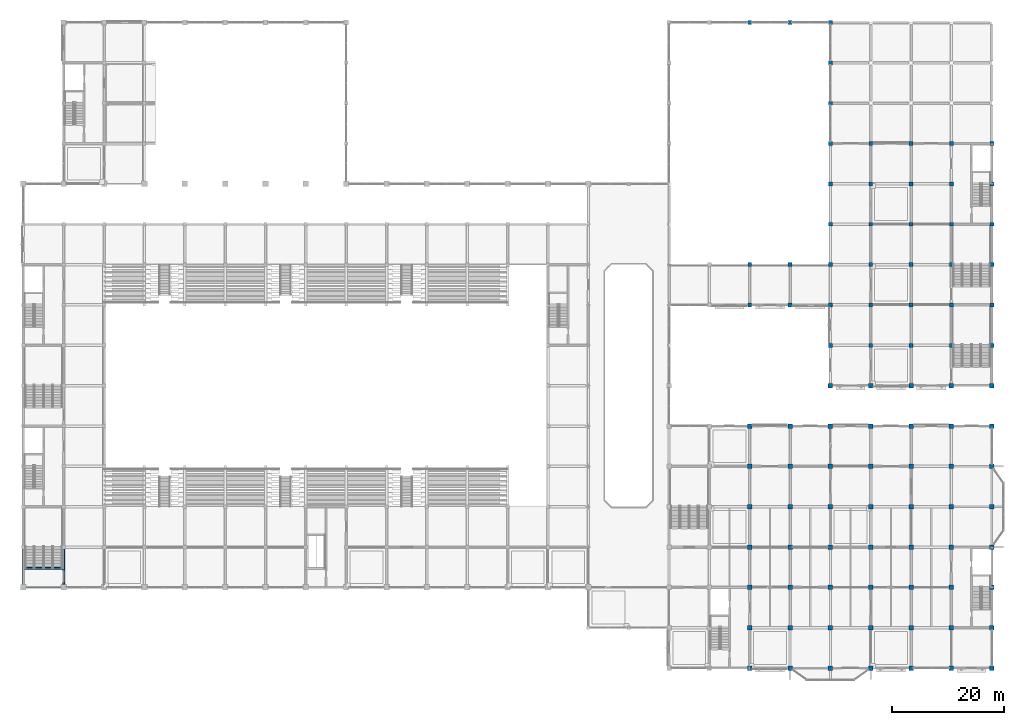
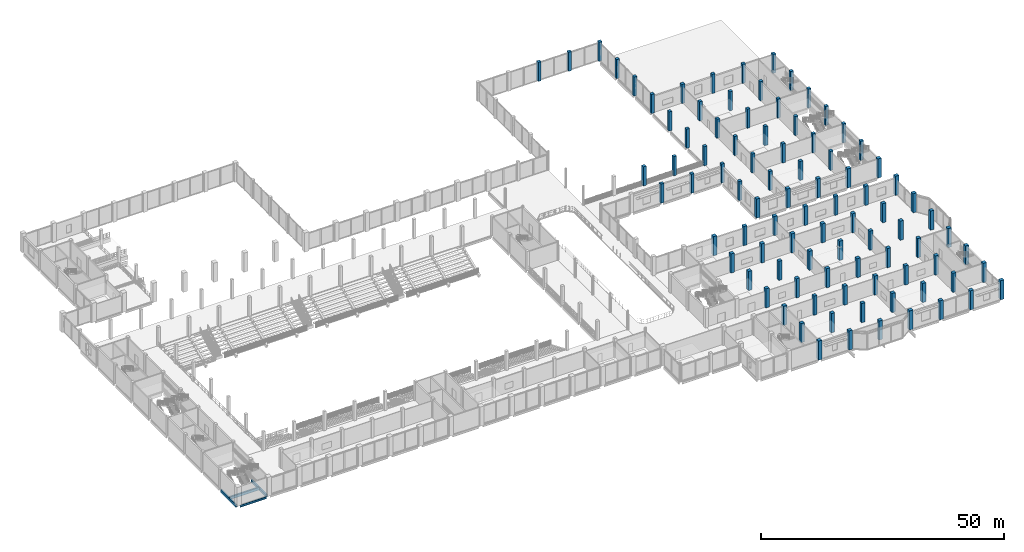
# One storey, part 5 of 99: 93 columns, 4 beams.
"""IFC4 building model written with IfcOpenShell, lengths in metres."""

from ifc_helpers import new_model, si_unit, direction, frame, origin, origin_2d, place, context, subcontext, project, spatial, rectangle, i_section, extrude, material, material_profile, profile_set, type_object, element, save


model = new_model("IFC4")

# Units and contexts
model_context = context("Model", 3, precision=1e-05, world=origin(), true_north=direction((0.0, 1.0)))
body_context = subcontext(model_context, "Body", "Model", "MODEL_VIEW")
ifc_project = project(units=[si_unit("LENGTHUNIT", "METRE"), si_unit("AREAUNIT", "SQUARE_METRE"), si_unit("VOLUMEUNIT", "CUBIC_METRE"), si_unit("PLANEANGLEUNIT", "RADIAN"), si_unit("MASSUNIT", "GRAM", prefix="KILO")], contexts=[model_context])

# Site, building, storey
site_placement = place(None, origin())
site = spatial("IfcSite", under=ifc_project, at=site_placement, CompositionType="ELEMENT")
building_placement = place(site_placement, origin())
building = spatial("IfcBuilding", under=site, at=building_placement, Name="Vesperath Aquatics Centre", CompositionType="ELEMENT")
storey_placement = place(building_placement, frame((0.0, 0.0, 5.39990234375)))
storey = spatial("IfcBuildingStorey", under=building, at=storey_placement, Name="L01", CompositionType="ELEMENT", Elevation=5.39990234375)

# Columns
ifc_material_1 = material(Name="Concrete C40", Category="concrete")
ifc_material_profile_1 = material_profile(ifc_material_1, rectangle(XDim=0.800048828125, YDim=0.800048828125, at=origin_2d()), Name="RC 800x800")
ifc_profile_set_1 = profile_set([ifc_material_profile_1], Name="Concrete C40")
column_type_1 = type_object("IfcColumnType", Name="CL-C04", PredefinedType="COLUMN", material=ifc_profile_set_1)
for number, where, z_axis, x_axis, name in (
    (1, (129.60009765625, 0.0, 0.0), (0.0, 0.0, 1.0), (1.0, 0.0, 0.0), "Column C04 L01 19/A"),
    (2, (129.60009765625, 7.199951171875, 0.0), (0.0, 0.0, 1.0), (1.0, 0.0, 0.0), "Column C04 L01 19/B"),
    (3, (129.60009765625, 14.39990234375, 0.0), (0.0, 0.0, 1.0), (1.0, 0.0, 0.0), "Column C04 L01 19/C"),
    (4, (129.60009765625, 21.60009765625, 0.0), (0.0, 0.0, 1.0), (1.0, 0.0, 0.0), "Column C04 L01 19/D"),
    (5, (129.60009765625, 28.800048828125, 0.0), (0.0, 0.0, 1.0), (1.0, 0.0, 0.0), "Column C04 L01 19/E"),
    (6, (129.60009765625, 36.0, 0.0), (0.0, 0.0, 1.0), (1.0, 0.0, 0.0), "Column C04 L01 19/F"),
    (7, (129.60009765625, 43.199951171875, 0.0), (0.0, 0.0, 1.0), (1.0, 0.0, 0.0), "Column C04 L01 19/G"),
    (8, (136.800048828125, 0.0, 0.0), (0.0, 0.0, 1.0), (1.0, 0.0, 0.0), "Column C04 L01 20/A"),
    (9, (136.800048828125, 7.199951171875, 0.0), (0.0, 0.0, 1.0), (1.0, 0.0, 0.0), "Column C04 L01 20/B"),
    (10, (136.800048828125, 14.39990234375, 0.0), (0.0, 0.0, 1.0), (1.0, 0.0, 0.0), "Column C04 L01 20/C"),
    (11, (136.800048828125, 21.60009765625, 0.0), (0.0, 0.0, 1.0), (1.0, 0.0, 0.0), "Column C04 L01 20/D"),
    (12, (136.800048828125, 28.800048828125, 0.0), (0.0, 0.0, 1.0), (1.0, 0.0, 0.0), "Column C04 L01 20/E"),
    (13, (136.800048828125, 36.0, 0.0), (0.0, 0.0, 1.0), (1.0, 0.0, 0.0), "Column C04 L01 20/F"),
    (14, (136.800048828125, 43.199951171875, 0.0), (0.0, 0.0, 1.0), (1.0, 0.0, 0.0), "Column C04 L01 20/G"),
    (15, (144.0, 0.0, 0.0), (0.0, 0.0, 1.0), (1.0, 0.0, 0.0), "Column C04 L01 21/A"),
    (16, (144.0, 7.199951171875, 0.0), (0.0, 0.0, 1.0), (1.0, 0.0, 0.0), "Column C04 L01 21/B"),
    (17, (144.0, 14.39990234375, 0.0), (0.0, 0.0, 1.0), (1.0, 0.0, 0.0), "Column C04 L01 21/C"),
    (18, (144.0, 21.60009765625, 0.0), (0.0, 0.0, 1.0), (1.0, 0.0, 0.0), "Column C04 L01 21/D"),
    (19, (144.0, 28.800048828125, 0.0), (0.0, 0.0, 1.0), (1.0, 0.0, 0.0), "Column C04 L01 21/E"),
    (20, (144.0, 36.0, 0.0), (0.0, 0.0, 1.0), (1.0, 0.0, 0.0), "Column C04 L01 21/F"),
    (21, (144.0, 43.199951171875, 0.0), (0.0, 0.0, 1.0), (1.0, 0.0, 0.0), "Column C04 L01 21/G"),
    (22, (144.0, 50.39990234375, 0.0), (0.0, 0.0, 1.0), (1.0, 0.0, 0.0), "Column C04 L01 21/H"),
    (23, (151.199951171875, 0.0, 0.0), (0.0, 0.0, 1.0), (1.0, 0.0, 0.0), "Column C04 L01 22/A"),
    (24, (151.199951171875, 7.199951171875, 0.0), (0.0, 0.0, 1.0), (1.0, 0.0, 0.0), "Column C04 L01 22/B"),
    (25, (151.199951171875, 14.39990234375, 0.0), (0.0, 0.0, 1.0), (1.0, 0.0, 0.0), "Column C04 L01 22/C"),
    (26, (151.199951171875, 21.60009765625, 0.0), (0.0, 0.0, 1.0), (1.0, 0.0, 0.0), "Column C04 L01 22/D"),
    (27, (151.199951171875, 28.800048828125, 0.0), (0.0, 0.0, 1.0), (1.0, 0.0, 0.0), "Column C04 L01 22/E"),
    (28, (151.199951171875, 36.0, 0.0), (0.0, 0.0, 1.0), (1.0, 0.0, 0.0), "Column C04 L01 22/F"),
    (29, (151.199951171875, 43.199951171875, 0.0), (0.0, 0.0, 1.0), (1.0, 0.0, 0.0), "Column C04 L01 22/G"),
    (30, (151.199951171875, 50.39990234375, 0.0), (0.0, 0.0, 1.0), (1.0, 0.0, 0.0), "Column C04 L01 22/H"),
    (31, (158.39990234375, 0.0, 0.0), (0.0, 0.0, 1.0), (1.0, 0.0, 0.0), "Column C04 L01 23/A"),
    (32, (158.39990234375, 7.199951171875, 0.0), (0.0, 0.0, 1.0), (1.0, 0.0, 0.0), "Column C04 L01 23/B"),
    (33, (158.39990234375, 14.39990234375, 0.0), (0.0, 0.0, 1.0), (1.0, 0.0, 0.0), "Column C04 L01 23/C"),
    (34, (158.39990234375, 21.60009765625, 0.0), (0.0, 0.0, 1.0), (1.0, 0.0, 0.0), "Column C04 L01 23/D"),
    (35, (158.39990234375, 28.800048828125, 0.0), (0.0, 0.0, 1.0), (1.0, 0.0, 0.0), "Column C04 L01 23/E"),
    (36, (158.39990234375, 36.0, 0.0), (0.0, 0.0, 1.0), (1.0, 0.0, 0.0), "Column C04 L01 23/F"),
    (37, (158.39990234375, 43.199951171875, 0.0), (0.0, 0.0, 1.0), (1.0, 0.0, 0.0), "Column C04 L01 23/G"),
    (38, (158.39990234375, 50.39990234375, 0.0), (0.0, 0.0, 1.0), (1.0, 0.0, 0.0), "Column C04 L01 23/H"),
    (39, (165.60009765625, 0.0, 0.0), (0.0, 0.0, 1.0), (1.0, 0.0, 0.0), "Column C04 L01 24/A"),
    (40, (165.60009765625, 7.199951171875, 0.0), (0.0, 0.0, 1.0), (1.0, 0.0, 0.0), "Column C04 L01 24/B"),
    (41, (165.60009765625, 14.39990234375, 0.0), (0.0, 0.0, 1.0), (1.0, 0.0, 0.0), "Column C04 L01 24/C"),
    (42, (165.60009765625, 21.60009765625, 0.0), (0.0, 0.0, 1.0), (1.0, 0.0, 0.0), "Column C04 L01 24/D"),
    (43, (165.60009765625, 28.800048828125, 0.0), (0.0, 0.0, 1.0), (1.0, 0.0, 0.0), "Column C04 L01 24/E"),
    (44, (165.60009765625, 36.0, 0.0), (0.0, 0.0, 1.0), (1.0, 0.0, 0.0), "Column C04 L01 24/F"),
    (45, (165.60009765625, 43.199951171875, 0.0), (0.0, 0.0, 1.0), (1.0, 0.0, 0.0), "Column C04 L01 24/G"),
    (46, (165.60009765625, 50.39990234375, 0.0), (0.0, 0.0, 1.0), (1.0, 0.0, 0.0), "Column C04 L01 24/H"),
    (47, (172.800048828125, 0.0, 0.0), (0.0, 0.0, 1.0), (1.0, 0.0, 0.0), "Column C04 L01 25/A"),
    (48, (172.800048828125, 7.199951171875, 0.0), (0.0, 0.0, 1.0), (1.0, 0.0, 0.0), "Column C04 L01 25/B"),
    (49, (172.800048828125, 14.39990234375, 0.0), (0.0, 0.0, 1.0), (1.0, 0.0, 0.0), "Column C04 L01 25/C"),
    (50, (172.800048828125, 21.60009765625, 0.0), (0.0, 0.0, 1.0), (1.0, 0.0, 0.0), "Column C04 L01 25/D"),
    (51, (172.800048828125, 28.800048828125, 0.0), (0.0, 0.0, 1.0), (1.0, 0.0, 0.0), "Column C04 L01 25/E"),
    (52, (172.800048828125, 36.0, 0.0), (0.0, 0.0, 1.0), (1.0, 0.0, 0.0), "Column C04 L01 25/F"),
    (53, (172.800048828125, 43.199951171875, 0.0), (0.0, 0.0, 1.0), (1.0, 0.0, 0.0), "Column C04 L01 25/G"),
    (54, (172.800048828125, 50.39990234375, 0.0), (0.0, 0.0, 1.0), (1.0, 0.0, 0.0), "Column C04 L01 25/H"),
):
    element("IfcColumn", number, at=place(storey_placement, frame(where, z_axis=z_axis, x_axis=x_axis)), inside=storey, type_object=column_type_1, Name=name, PredefinedType="COLUMN", context=body_context, shape_type="SweptSolid", body=[
        extrude(rectangle(XDim=0.800048828125, YDim=0.800048828125, at=origin_2d()), origin(), (0.0, 0.0, 1.0), 4.800048828125),
    ])
ifc_material_profile_2 = material_profile(ifc_material_1, rectangle(XDim=0.699951171875, YDim=0.699951171875, at=origin_2d()), Name="RC 700x700")
ifc_profile_set_2 = profile_set([ifc_material_profile_2], Name="Concrete C40")
column_type_2 = type_object("IfcColumnType", Name="CL-C05", PredefinedType="COLUMN", material=ifc_profile_set_2)
for number, where, z_axis, x_axis, name in (
    (55, (129.60009765625, 64.800048828125, 0.0), (0.0, 0.0, 1.0), (1.0, 0.0, 0.0), "Column C05 L01 19/K"),
    (56, (129.60009765625, 72.0, 0.0), (0.0, 0.0, 1.0), (1.0, 0.0, 0.0), "Column C05 L01 19/L"),
    (57, (129.60009765625, 115.199951171875, 0.0), (0.0, 0.0, 1.0), (1.0, 0.0, 0.0), "Column C05 L01 19/S"),
    (58, (136.800048828125, 64.800048828125, 0.0), (0.0, 0.0, 1.0), (1.0, 0.0, 0.0), "Column C05 L01 20/K"),
    (59, (136.800048828125, 72.0, 0.0), (0.0, 0.0, 1.0), (1.0, 0.0, 0.0), "Column C05 L01 20/L"),
    (60, (136.800048828125, 115.199951171875, 0.0), (0.0, 0.0, 1.0), (1.0, 0.0, 0.0), "Column C05 L01 20/S"),
    (61, (144.0, 57.60009765625, 0.0), (0.0, 0.0, 1.0), (1.0, 0.0, 0.0), "Column C05 L01 21/J"),
    (62, (144.0, 64.800048828125, 0.0), (0.0, 0.0, 1.0), (1.0, 0.0, 0.0), "Column C05 L01 21/K"),
    (63, (144.0, 72.0, 0.0), (0.0, 0.0, 1.0), (1.0, 0.0, 0.0), "Column C05 L01 21/L"),
    (64, (144.0, 79.199951171875, 0.0), (0.0, 0.0, 1.0), (1.0, 0.0, 0.0), "Column C05 L01 21/M"),
    (65, (144.0, 86.39990234375, 0.0), (0.0, 0.0, 1.0), (1.0, 0.0, 0.0), "Column C05 L01 21/N"),
    (66, (144.0, 93.60009765625, 0.0), (0.0, 0.0, 1.0), (1.0, 0.0, 0.0), "Column C05 L01 21/P"),
    (67, (144.0, 100.800048828125, 0.0), (0.0, 0.0, 1.0), (1.0, 0.0, 0.0), "Column C05 L01 21/Q"),
    (68, (144.0, 108.0, 0.0), (0.0, 0.0, 1.0), (1.0, 0.0, 0.0), "Column C05 L01 21/R"),
    (69, (144.0, 115.199951171875, 0.0), (0.0, 0.0, 1.0), (1.0, 0.0, 0.0), "Column C05 L01 21/S"),
    (70, (151.199951171875, 57.60009765625, 0.0), (0.0, 0.0, 1.0), (1.0, 0.0, 0.0), "Column C05 L01 22/J"),
    (71, (151.199951171875, 64.800048828125, 0.0), (0.0, 0.0, 1.0), (1.0, 0.0, 0.0), "Column C05 L01 22/K"),
    (72, (151.199951171875, 72.0, 0.0), (0.0, 0.0, 1.0), (1.0, 0.0, 0.0), "Column C05 L01 22/L"),
    (73, (151.199951171875, 79.199951171875, 0.0), (0.0, 0.0, 1.0), (1.0, 0.0, 0.0), "Column C05 L01 22/M"),
    (74, (151.199951171875, 86.39990234375, 0.0), (0.0, 0.0, 1.0), (1.0, 0.0, 0.0), "Column C05 L01 22/N"),
    (75, (151.199951171875, 93.60009765625, 0.0), (0.0, 0.0, 1.0), (1.0, 0.0, 0.0), "Column C05 L01 22/P"),
    (76, (158.39990234375, 57.60009765625, 0.0), (0.0, 0.0, 1.0), (1.0, 0.0, 0.0), "Column C05 L01 23/J"),
    (77, (158.39990234375, 64.800048828125, 0.0), (0.0, 0.0, 1.0), (1.0, 0.0, 0.0), "Column C05 L01 23/K"),
    (78, (158.39990234375, 72.0, 0.0), (0.0, 0.0, 1.0), (1.0, 0.0, 0.0), "Column C05 L01 23/L"),
    (79, (158.39990234375, 79.199951171875, 0.0), (0.0, 0.0, 1.0), (1.0, 0.0, 0.0), "Column C05 L01 23/M"),
    (80, (158.39990234375, 86.39990234375, 0.0), (0.0, 0.0, 1.0), (1.0, 0.0, 0.0), "Column C05 L01 23/N"),
    (81, (158.39990234375, 93.60009765625, 0.0), (0.0, 0.0, 1.0), (1.0, 0.0, 0.0), "Column C05 L01 23/P"),
    (82, (165.60009765625, 57.60009765625, 0.0), (0.0, 0.0, 1.0), (1.0, 0.0, 0.0), "Column C05 L01 24/J"),
    (83, (165.60009765625, 64.800048828125, 0.0), (0.0, 0.0, 1.0), (1.0, 0.0, 0.0), "Column C05 L01 24/K"),
    (84, (165.60009765625, 72.0, 0.0), (0.0, 0.0, 1.0), (1.0, 0.0, 0.0), "Column C05 L01 24/L"),
    (85, (165.60009765625, 79.199951171875, 0.0), (0.0, 0.0, 1.0), (1.0, 0.0, 0.0), "Column C05 L01 24/M"),
    (86, (165.60009765625, 86.39990234375, 0.0), (0.0, 0.0, 1.0), (1.0, 0.0, 0.0), "Column C05 L01 24/N"),
    (87, (165.60009765625, 93.60009765625, 0.0), (0.0, 0.0, 1.0), (1.0, 0.0, 0.0), "Column C05 L01 24/P"),
    (88, (172.800048828125, 57.60009765625, 0.0), (0.0, 0.0, 1.0), (1.0, 0.0, 0.0), "Column C05 L01 25/J"),
    (89, (172.800048828125, 64.800048828125, 0.0), (0.0, 0.0, 1.0), (1.0, 0.0, 0.0), "Column C05 L01 25/K"),
    (90, (172.800048828125, 72.0, 0.0), (0.0, 0.0, 1.0), (1.0, 0.0, 0.0), "Column C05 L01 25/L"),
    (91, (172.800048828125, 79.199951171875, 0.0), (0.0, 0.0, 1.0), (1.0, 0.0, 0.0), "Column C05 L01 25/M"),
    (92, (172.800048828125, 86.39990234375, 0.0), (0.0, 0.0, 1.0), (1.0, 0.0, 0.0), "Column C05 L01 25/N"),
    (93, (172.800048828125, 93.60009765625, 0.0), (0.0, 0.0, 1.0), (1.0, 0.0, 0.0), "Column C05 L01 25/P"),
):
    element("IfcColumn", number, at=place(storey_placement, frame(where, z_axis=z_axis, x_axis=x_axis)), inside=storey, type_object=column_type_2, Name=name, PredefinedType="COLUMN", context=body_context, shape_type="SweptSolid", body=[
        extrude(rectangle(XDim=0.699951171875, YDim=0.699951171875, at=origin_2d()), origin(), (0.0, 0.0, 1.0), 4.800048828125),
    ])

# Beams
ifc_material_2 = material(Name="Concrete C35", Category="concrete")
ifc_material_profile_3 = material_profile(ifc_material_2, rectangle(XDim=0.35009765625, YDim=0.64990234375, at=origin_2d()), Name="RC 350x650")
ifc_profile_set_3 = profile_set([ifc_material_profile_3], Name="Concrete C35")
beam_type_1 = type_object("IfcBeamType", Name="BM-G05", PredefinedType="BEAM", material=ifc_profile_set_3)
for number, where, z_axis, x_axis, name in (
    (94, (0.0, 14.949951171875, -0.5849609375), (0.0, 1.0, 0.0), (-1.0, 0.0, 0.0), "Floor Girder B05 L01 1 C-D"),
    (95, (7.199951171875, 14.949951171875, -0.5849609375), (0.0, 1.0, 0.0), (-1.0, 0.0, 0.0), "Floor Girder B05 L01 2 C-D"),
):
    element("IfcBeam", number, at=place(storey_placement, frame(where, z_axis=z_axis, x_axis=x_axis)), inside=storey, type_object=beam_type_1, Name=name, PredefinedType="BEAM", context=body_context, shape_type="SweptSolid", body=[
        extrude(rectangle(XDim=0.35009765625, YDim=0.64990234375, at=origin_2d()), origin(), (0.0, 0.0, 1.0), 6.300048828125),
    ])
beam_1_placement = place(storey_placement, frame((0.0, 17.820068359375, -0.324951171875), z_axis=(1.0, 0.0, 0.0), x_axis=(0.0, 1.0, 0.0)))
element("IfcBeam", 96, at=beam_1_placement, inside=storey, type_object=beam_type_1, Name="Stair ST10 Landing Trimmer Beam B05 L01", PredefinedType="BEAM", context=body_context, shape_type="SweptSolid", body=[
    extrude(rectangle(XDim=0.35009765625, YDim=0.64990234375, at=origin_2d()), origin(), (0.0, 0.0, 1.0), 7.199951171875),
])
ifc_material_3 = material(Name="Steel Q355D", Category="steel")
ifc_material_profile_4 = material_profile(ifc_material_3, i_section(OverallWidth=0.199951171875, OverallDepth=0.5, WebThickness=0.010009765625, FlangeThickness=0.01611328125, FilletRadius=0.02001953125, at=origin_2d()), Name="HN 500x200x10x16")
ifc_profile_set_4 = profile_set([ifc_material_profile_4], Name="Steel Q355D")
beam_type_2 = type_object("IfcBeamType", Name="BM-SP01", PredefinedType="SPANDREL", material=ifc_profile_set_4)
beam_2_placement = place(storey_placement, frame((0.449951171875, 14.39990234375, -0.510009765625), z_axis=(1.0, 0.0, 0.0), x_axis=(0.0, 1.0, 0.0)))
element("IfcBeam", 97, at=beam_2_placement, inside=storey, type_object=beam_type_2, Name="Floor Girder SP01 L01 C 1-2", PredefinedType="SPANDREL", context=body_context, shape_type="SweptSolid", body=[
    extrude(i_section(OverallWidth=0.199951171875, OverallDepth=0.5, WebThickness=0.010009765625, FlangeThickness=0.01611328125, FilletRadius=0.02001953125, at=origin_2d()), origin(), (0.0, 0.0, 1.0), 6.300048828125),
])

save(model, "model.ifc")
